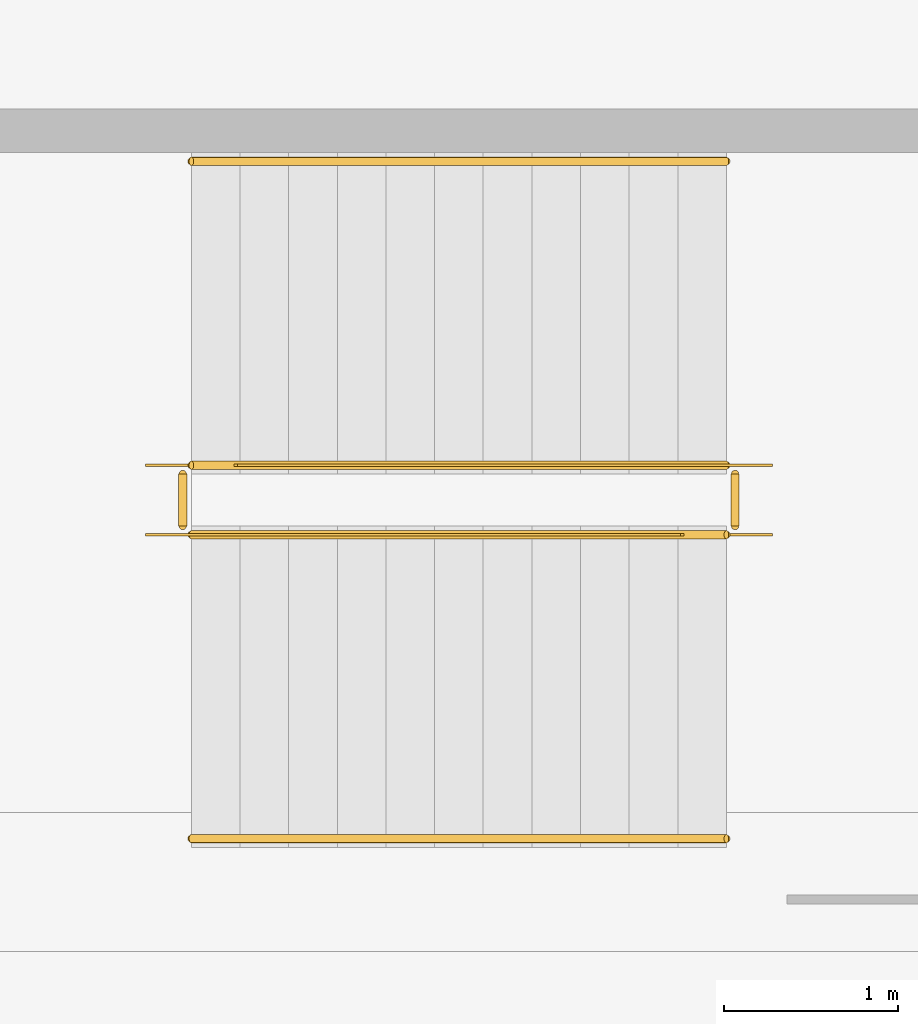
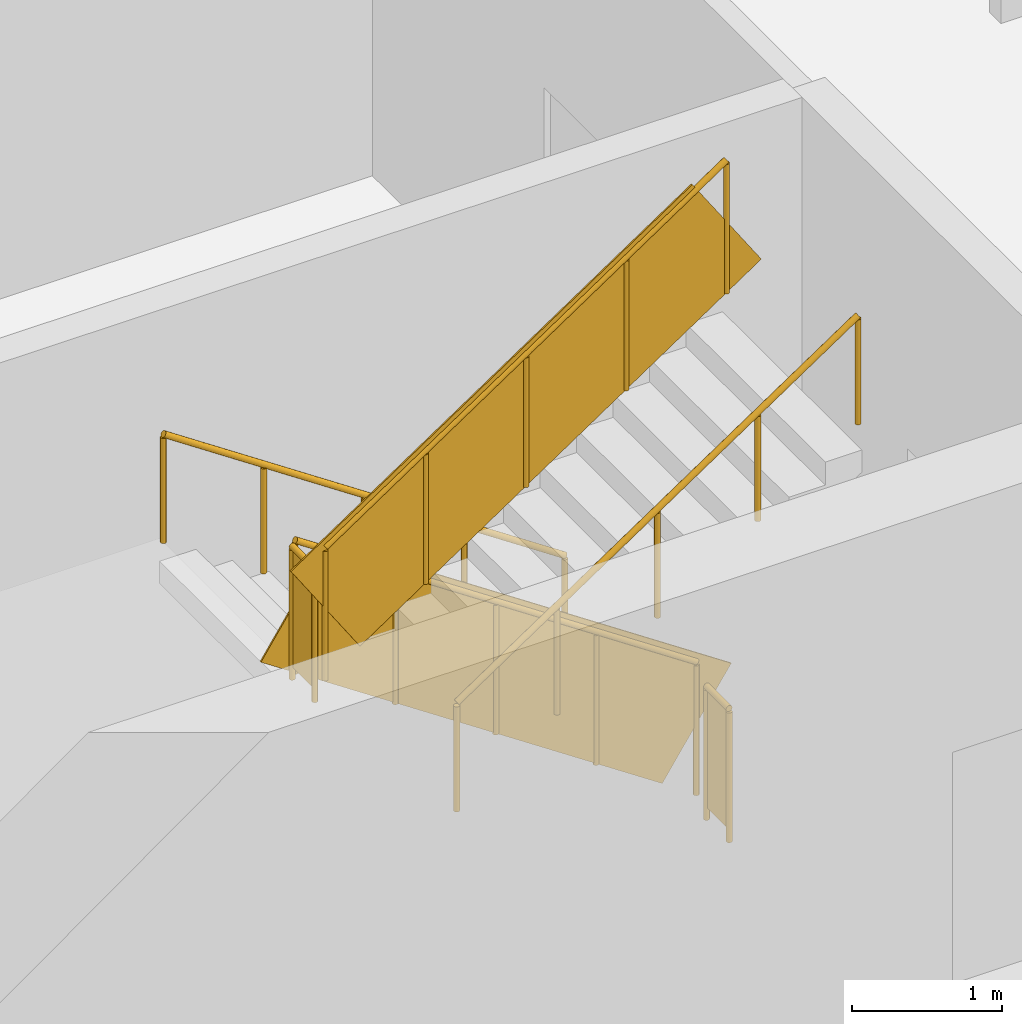
# One storey, part 35 of 42: 6 railings.
"""IFC4 building model written with IfcOpenShell, lengths in metres."""

from ifc_helpers import new_model, si_unit, direction, frame, origin, origin_2d, place, context, subcontext, project, spatial, rectangle, circle, extrude, material, type_object, element, save


model = new_model("IFC4")

# Units and contexts
model_context = context("Model", 3, precision=1e-05, world=origin(), true_north=direction((0.0, 1.0)))
body_context = subcontext(model_context, "Body", "Model", "MODEL_VIEW")
ifc_project = project(units=[si_unit("LENGTHUNIT", "METRE"), si_unit("AREAUNIT", "SQUARE_METRE"), si_unit("VOLUMEUNIT", "CUBIC_METRE"), si_unit("PLANEANGLEUNIT", "RADIAN"), si_unit("MASSUNIT", "GRAM", prefix="KILO")], contexts=[model_context])

# Site, building, storey
site_placement = place(None, origin())
site = spatial("IfcSite", under=ifc_project, at=site_placement, CompositionType="ELEMENT")
building_placement = place(site_placement, origin())
building = spatial("IfcBuilding", under=site, at=building_placement, Name="Dilmun Exchange Tower", CompositionType="ELEMENT")
storey_placement = place(building_placement, origin())
storey = spatial("IfcBuildingStorey", under=building, at=storey_placement, Name="L00", CompositionType="ELEMENT", Elevation=0.0)

# Railings
ifc_material = material(Name="Steel S355", Category="steel")
railing_type_1 = type_object("IfcRailingType", Name="School stair guard 1100", PredefinedType="GUARDRAIL", material=ifc_material)
railing_1_placement = place(storey_placement, frame((-52.25, -57.35009765625, 0.1875)))
element("IfcRailing", 1, at=railing_1_placement, inside=storey, type_object=railing_type_1, Name="L00 SCH-S2 stair guard 1", PredefinedType="GUARDRAIL", context=body_context, shape_type="SweptSolid", body=[
    extrude(circle(Radius=0.02392578125, at=origin_2d()), frame((0.0, 0.0, 1.076171875), z_axis=(-0.830913701846, 0.0, 0.55640131208), x_axis=(0.0, -1.0, 0.0)), (0.0, 0.0, 1.0), 3.706787109375),
    extrude(rectangle(XDim=0.011962890625, YDim=0.951904296875, at=origin_2d()), frame((0.0, 0.0, 0.576171875), z_axis=(-0.830913701846, 0.0, 0.55640131208), x_axis=(0.0, -1.0, 0.0)), (0.0, 0.0, 1.0), 3.706787109375),
    extrude(circle(Radius=0.02099609375, at=origin_2d()), origin(), (0.0, 0.0, 1.0), 1.052001953125),
    extrude(circle(Radius=0.02099609375, at=origin_2d()), frame((-0.77001953125, 0.0, 0.515625)), (0.0, 0.0, 1.0), 1.052001953125),
    extrude(circle(Radius=0.02099609375, at=origin_2d()), frame((-1.5400390625, 0.0, 1.03125)), (0.0, 0.0, 1.0), 1.052001953125),
    extrude(circle(Radius=0.02099609375, at=origin_2d()), frame((-2.31005859375, 0.0, 1.546875)), (0.0, 0.0, 1.0), 1.052001953125),
    extrude(circle(Radius=0.02099609375, at=origin_2d()), frame((-3.080078125, 0.0, 2.0625)), (0.0, 0.0, 1.0), 1.052001953125),
])
railing_2_placement = place(storey_placement, frame((-55.3798828125, -57.39990234375, 2.25)))
element("IfcRailing", 2, at=railing_2_placement, inside=storey, type_object=railing_type_1, Name="L00 SCH-S2 stair guard 2", PredefinedType="GUARDRAIL", context=body_context, shape_type="SweptSolid", body=[
    extrude(circle(Radius=0.02392578125, at=origin_2d()), frame((0.0, 0.0, 1.076171875), z_axis=(0.0, -1.0, 0.0), x_axis=(1.0, 0.0, 0.0)), (0.0, 0.0, 1.0), 0.300048828125),
    extrude(rectangle(XDim=0.011962890625, YDim=0.951904296875, at=origin_2d()), frame((0.0, 0.0, 0.576171875), z_axis=(0.0, -1.0, 0.0), x_axis=(1.0, 0.0, 0.0)), (0.0, 0.0, 1.0), 0.300048828125),
    extrude(circle(Radius=0.02099609375, at=origin_2d()), origin(), (0.0, 0.0, 1.0), 1.052001953125),
    extrude(circle(Radius=0.02099609375, at=origin_2d()), frame((0.0, -0.300048828125, 0.0)), (0.0, 0.0, 1.0), 1.052001953125),
])
railing_3_placement = place(storey_placement, frame((-55.330078125, -57.75, 2.4375)))
element("IfcRailing", 3, at=railing_3_placement, inside=storey, type_object=railing_type_1, Name="L00 SCH-S2 stair guard 3", PredefinedType="GUARDRAIL", context=body_context, shape_type="SweptSolid", body=[
    extrude(circle(Radius=0.02392578125, at=origin_2d()), frame((0.0, 0.0, 1.076171875), z_axis=(0.830913701846, 0.0, 0.55640131208), x_axis=(0.0, 1.0, 0.0)), (0.0, 0.0, 1.0), 3.706787109375),
    extrude(rectangle(XDim=0.011962890625, YDim=0.951904296875, at=origin_2d()), frame((0.0, 0.0, 0.576171875), z_axis=(0.830913701846, 0.0, 0.55640131208), x_axis=(0.0, 1.0, 0.0)), (0.0, 0.0, 1.0), 3.706787109375),
    extrude(circle(Radius=0.02099609375, at=origin_2d()), origin(), (0.0, 0.0, 1.0), 1.052001953125),
    extrude(circle(Radius=0.02099609375, at=origin_2d()), frame((0.77001953125, 0.0, 0.515625)), (0.0, 0.0, 1.0), 1.052001953125),
    extrude(circle(Radius=0.02099609375, at=origin_2d()), frame((1.5400390625, 0.0, 1.03125)), (0.0, 0.0, 1.0), 1.052001953125),
    extrude(circle(Radius=0.02099609375, at=origin_2d()), frame((2.31005859375, 0.0, 1.546875)), (0.0, 0.0, 1.0), 1.052001953125),
    extrude(circle(Radius=0.02099609375, at=origin_2d()), frame((3.080078125, 0.0, 2.0625)), (0.0, 0.0, 1.0), 1.052001953125),
])
railing_4_placement = place(storey_placement, frame((-52.199951171875, -57.39990234375, 0.0)))
element("IfcRailing", 4, at=railing_4_placement, inside=storey, type_object=railing_type_1, Name="L00 SCH-S2 stair guard 4", PredefinedType="GUARDRAIL", context=body_context, shape_type="SweptSolid", body=[
    extrude(circle(Radius=0.02392578125, at=origin_2d()), frame((0.0, 0.0, 1.076171875), z_axis=(0.0, -1.0, 0.0), x_axis=(1.0, 0.0, 0.0)), (0.0, 0.0, 1.0), 0.300048828125),
    extrude(rectangle(XDim=0.011962890625, YDim=0.951904296875, at=origin_2d()), frame((0.0, 0.0, 0.576171875), z_axis=(0.0, -1.0, 0.0), x_axis=(1.0, 0.0, 0.0)), (0.0, 0.0, 1.0), 0.300048828125),
    extrude(circle(Radius=0.02099609375, at=origin_2d()), origin(), (0.0, 0.0, 1.0), 1.052001953125),
    extrude(circle(Radius=0.02099609375, at=origin_2d()), frame((0.0, -0.300048828125, 0.0)), (0.0, 0.0, 1.0), 1.052001953125),
])
railing_type_2 = type_object("IfcRailingType", Name="School stair handrail 900", PredefinedType="HANDRAIL", material=ifc_material)
railing_5_placement = place(storey_placement, frame((-52.25, -55.60009765625, 0.1875)))
element("IfcRailing", 5, at=railing_5_placement, inside=storey, type_object=railing_type_2, Name="L00 SCH-S2 stair handrail 1", PredefinedType="HANDRAIL", context=body_context, shape_type="SweptSolid", body=[
    extrude(circle(Radius=0.02392578125, at=origin_2d()), frame((0.0, 0.0, 0.8759765625), z_axis=(-0.830913701846, 0.0, 0.55640131208), x_axis=(0.0, -1.0, 0.0)), (0.0, 0.0, 1.0), 3.706787109375),
    extrude(circle(Radius=0.02099609375, at=origin_2d()), origin(), (0.0, 0.0, 1.0), 0.851806640625),
    extrude(circle(Radius=0.02099609375, at=origin_2d()), frame((-0.77001953125, 0.0, 0.515625)), (0.0, 0.0, 1.0), 0.851806640625),
    extrude(circle(Radius=0.02099609375, at=origin_2d()), frame((-1.5400390625, 0.0, 1.03125)), (0.0, 0.0, 1.0), 0.851806640625),
    extrude(circle(Radius=0.02099609375, at=origin_2d()), frame((-2.31005859375, 0.0, 1.546875)), (0.0, 0.0, 1.0), 0.851806640625),
    extrude(circle(Radius=0.02099609375, at=origin_2d()), frame((-3.080078125, 0.0, 2.0625)), (0.0, 0.0, 1.0), 0.851806640625),
])
railing_6_placement = place(storey_placement, frame((-55.330078125, -59.5, 2.4375)))
element("IfcRailing", 6, at=railing_6_placement, inside=storey, type_object=railing_type_2, Name="L00 SCH-S2 stair handrail 2", PredefinedType="HANDRAIL", context=body_context, shape_type="SweptSolid", body=[
    extrude(circle(Radius=0.02392578125, at=origin_2d()), frame((0.0, 0.0, 0.8759765625), z_axis=(0.830913701846, 0.0, 0.55640131208), x_axis=(0.0, 1.0, 0.0)), (0.0, 0.0, 1.0), 3.706787109375),
    extrude(circle(Radius=0.02099609375, at=origin_2d()), origin(), (0.0, 0.0, 1.0), 0.851806640625),
    extrude(circle(Radius=0.02099609375, at=origin_2d()), frame((0.77001953125, 0.0, 0.515625)), (0.0, 0.0, 1.0), 0.851806640625),
    extrude(circle(Radius=0.02099609375, at=origin_2d()), frame((1.5400390625, 0.0, 1.03125)), (0.0, 0.0, 1.0), 0.851806640625),
    extrude(circle(Radius=0.02099609375, at=origin_2d()), frame((2.31005859375, 0.0, 1.546875)), (0.0, 0.0, 1.0), 0.851806640625),
    extrude(circle(Radius=0.02099609375, at=origin_2d()), frame((3.080078125, 0.0, 2.0625)), (0.0, 0.0, 1.0), 0.851806640625),
])

save(model, "model.ifc")
